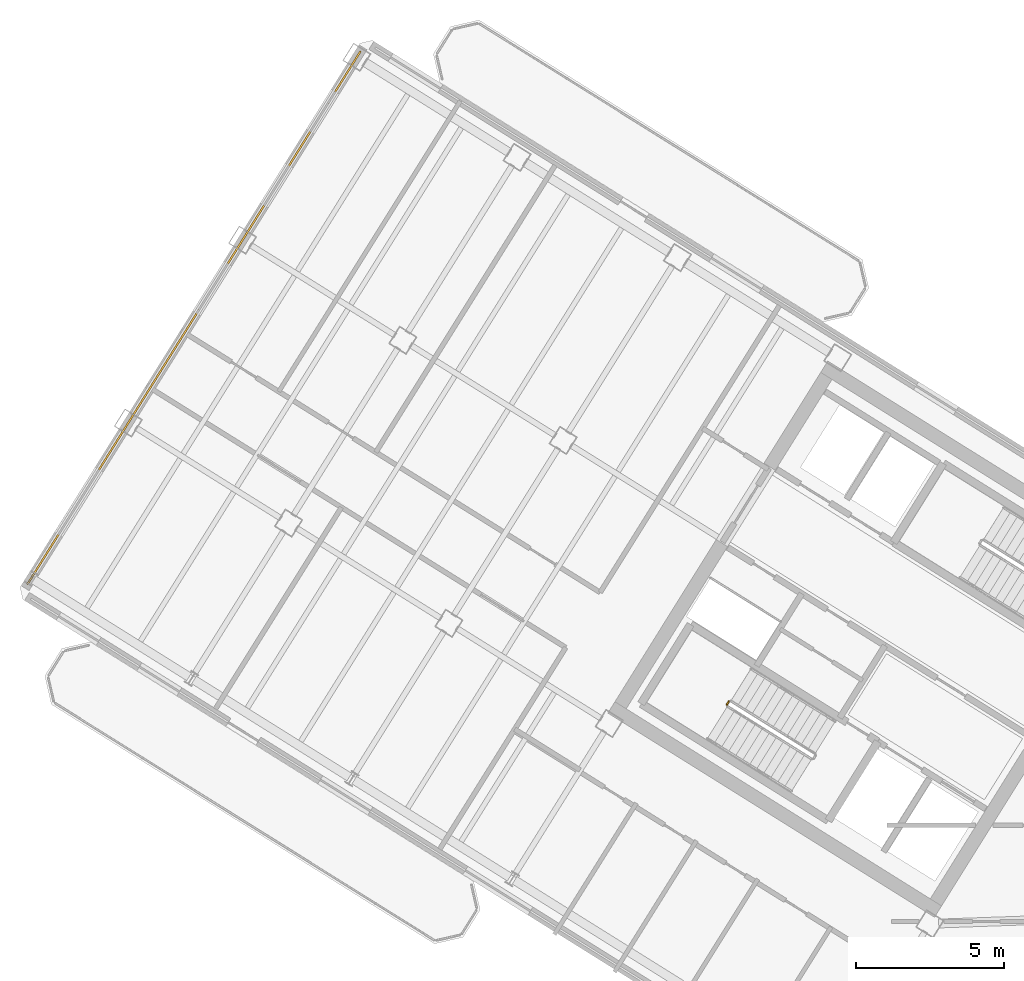
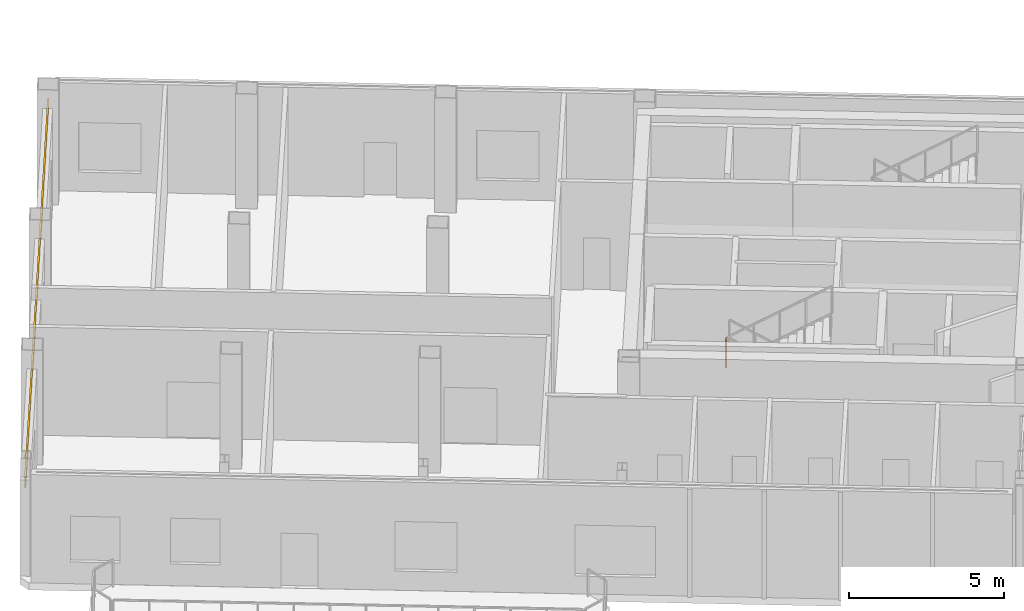
# One storey, part 23 of 27: 1 covering, 1 railing.
"""IFC4 building model written with IfcOpenShell, lengths in metres."""

import ifcopenshell
import ifcopenshell.guid

model = None  # the IFC model being written
_history = None  # IfcOwnerHistory: only IFC2X3 demands one
_inside = {}  # id of a spatial element -> (the spatial element, [elements in it])
_under = {}  # id of a project, library or spatial element -> (it, [spatial elements below it])
_declared = {}  # id of a project -> (the project, [libraries it declares])
_typed = {}  # id of a type object -> (the type object, [elements of that type])
_made_of = {}  # id of a material, layer set ... -> (it, [elements and type objects made of it])


def new_model(schema):
    """Start an empty IFC model of exactly this schema.

    Asked for "IFC4X3", IfcOpenShell would pick the latest addendum, in which some entities
    have other attributes; the version numbers below select the first issue.
    IFC2X3 requires an IfcOwnerHistory on every rooted entity: one is made here for all.
    """
    global model, _history
    if schema == "IFC4X3":
        model = ifcopenshell.file(schema_version=(4, 3, 0, 0))
    else:
        model = ifcopenshell.file(schema=schema)
    _inside.clear()
    _under.clear()
    _declared.clear()
    _typed.clear()
    _made_of.clear()
    _history = None
    if model.schema == "IFC2X3":
        org = make("IfcOrganization", Name="unknown")
        user = make(
            "IfcPersonAndOrganization",
            ThePerson=make("IfcPerson", FamilyName="unknown"),
            TheOrganization=org,
        )
        app = make(
            "IfcApplication",
            ApplicationDeveloper=org,
            Version="unknown",
            ApplicationFullName="unknown",
            ApplicationIdentifier="unknown",
        )
        _history = make(
            "IfcOwnerHistory",
            OwningUser=user,
            OwningApplication=app,
            ChangeAction="ADDED",
            CreationDate=0,
        )
    return model


def make(cls, **values):
    """One entity of the class cls with the attributes given. An attribute that is None is left unset."""
    return model.create_entity(
        cls, **{name: value for name, value in values.items() if value is not None}
    )


def rooted(cls, **values):
    """An entity with a GlobalId (a new one), such as an element, a storey or a relation."""
    return make(cls, GlobalId=ifcopenshell.guid.new(), OwnerHistory=_history, **values)


def si_unit(unit_type, name, prefix=None):
    """IfcSIUnit, for example si_unit("LENGTHUNIT", "METRE", prefix="MILLI")."""
    return make("IfcSIUnit", UnitType=unit_type, Prefix=prefix, Name=name)


def assignment(units):
    """IfcUnitAssignment: the units of a project."""
    return None if units is None else make("IfcUnitAssignment", Units=units)


def point(xyz):
    """IfcCartesianPoint."""
    return None if xyz is None else make("IfcCartesianPoint", Coordinates=xyz)


def direction(xyz):
    """IfcDirection."""
    return None if xyz is None else make("IfcDirection", DirectionRatios=xyz)


def frame(location, z_axis=None, x_axis=None):
    """IfcAxis2Placement3D, a coordinate frame: its origin and axes. An axis left out is left unset."""
    return make(
        "IfcAxis2Placement3D",
        Location=point(location),
        Axis=direction(z_axis),
        RefDirection=direction(x_axis),
    )


def frame_2d(location, x_axis=None):
    """IfcAxis2Placement2D, a coordinate frame in the plane: its origin and x axis."""
    return make(
        "IfcAxis2Placement2D", Location=point(location), RefDirection=direction(x_axis)
    )


def origin():
    """The frame at (0, 0, 0) with its axes left unset."""
    return frame((0.0, 0.0, 0.0))


def origin_2d():
    """The frame at (0, 0) in the plane with its x axis left unset."""
    return frame_2d((0.0, 0.0))


def place(relative_to, where):
    """IfcLocalPlacement: puts the frame where relative to a parent placement (None: the world)."""
    return make(
        "IfcLocalPlacement", PlacementRelTo=relative_to, RelativePlacement=where
    )


def context(
    kind, dimensions, precision=None, world=None, true_north=None, identifier=None
):
    """IfcGeometricRepresentationContext, for example the 3D "Model" context."""
    return make(
        "IfcGeometricRepresentationContext",
        ContextIdentifier=identifier,
        ContextType=kind,
        CoordinateSpaceDimension=dimensions,
        Precision=precision,
        WorldCoordinateSystem=world,
        TrueNorth=true_north,
    )


def subcontext(parent, identifier, kind, view, scale=None):
    """IfcGeometricRepresentationSubContext, for example "Body" below "Model"."""
    return make(
        "IfcGeometricRepresentationSubContext",
        ContextIdentifier=identifier,
        ContextType=kind,
        ParentContext=parent,
        TargetScale=scale,
        TargetView=view,
    )


def project(units=None, contexts=None):
    """IfcProject with its units and contexts."""
    return rooted(
        "IfcProject",
        Name="project",
        RepresentationContexts=contexts,
        UnitsInContext=assignment(units),
    )


def spatial(cls, under=None, at=None, **own):
    """A site, building, storey or space (cls), placed at a placement, below another one or the project."""
    s = rooted(cls, ObjectPlacement=at, **own)
    if under is not None:
        _under.setdefault(under.id(), (under, []))[1].append(s)
    return s


def profile(cls, at=None, kind="AREA", **sizes):
    """A parametric profile (cls). Its sizes go by their IFC names, for example OverallWidth=200.0."""
    return make(cls, ProfileType=kind, Position=at, **sizes)


def rectangle(**sizes):
    """IfcRectangleProfileDef."""
    return profile("IfcRectangleProfileDef", **sizes)


def extrude(swept, where, along, depth):
    """IfcExtrudedAreaSolid: the profile swept, set in the frame where, extruded along a direction by depth."""
    return make(
        "IfcExtrudedAreaSolid",
        SweptArea=swept,
        Position=where,
        ExtrudedDirection=direction(along),
        Depth=depth,
    )


def shape(context_of_items, identifier, shape_type, items):
    """IfcShapeRepresentation: the items that make up one representation, for example the "Body"."""
    return make(
        "IfcShapeRepresentation",
        ContextOfItems=context_of_items,
        RepresentationIdentifier=identifier,
        RepresentationType=shape_type,
        Items=items,
    )


def source(mapping_origin, context_of_items, identifier, shape_type, items):
    """IfcRepresentationMap: a shape defined once, which mapped items show again and again."""
    return make(
        "IfcRepresentationMap",
        MappingOrigin=mapping_origin,
        MappedRepresentation=shape(context_of_items, identifier, shape_type, items),
    )


def transform(
    local_origin,
    x_axis=None,
    y_axis=None,
    z_axis=None,
    scale=None,
    scale2=None,
    scale3=None,
    uniform=True,
):
    """IfcCartesianTransformationOperator3D, or its non-uniform kind. x_axis, y_axis, z_axis: its Axis1, 2, 3."""
    if uniform:
        return make(
            "IfcCartesianTransformationOperator3D",
            Axis1=direction(x_axis),
            Axis2=direction(y_axis),
            LocalOrigin=point(local_origin),
            Scale=scale,
            Axis3=direction(z_axis),
        )
    return make(
        "IfcCartesianTransformationOperator3DnonUniform",
        Axis1=direction(x_axis),
        Axis2=direction(y_axis),
        LocalOrigin=point(local_origin),
        Scale=scale,
        Axis3=direction(z_axis),
        Scale2=scale2,
        Scale3=scale3,
    )


def mapped(mapping_source, mapping_target):
    """IfcMappedItem: shows the shape of a source again, moved by a transform."""
    return make(
        "IfcMappedItem", MappingSource=mapping_source, MappingTarget=mapping_target
    )


def material(Name=None, Category=None):
    """IfcMaterial."""
    return make("IfcMaterial", Name=Name, Category=Category)


def layer(
    of_material, thickness, ventilated=None, Name=None, Category=None, Priority=None
):
    """IfcMaterialLayer: one layer of a wall or slab, of a material (None: an air gap)."""
    return make(
        "IfcMaterialLayer",
        Material=of_material,
        LayerThickness=thickness,
        IsVentilated=ventilated,
        Name=Name,
        Category=Category,
        Priority=Priority,
    )


def layer_set(layers, Name=None):
    """IfcMaterialLayerSet."""
    return make("IfcMaterialLayerSet", MaterialLayers=layers, LayerSetName=Name)


def made_of(thing, what):
    """Note that an element or type object is made of a material, layer set ...; save() writes the relation."""
    if what is not None:
        _made_of.setdefault(what.id(), (what, []))[1].append(thing)
    return thing


def type_object(cls, material=None, **own):
    """A type object (cls), such as IfcWallType, which elements share."""
    return made_of(rooted(cls, **own), material)


def element(
    cls,
    number,
    at=None,
    inside=None,
    cuts=None,
    type_object=None,
    material=None,
    context=None,
    identifier="Body",
    shape_type=None,
    held_by="IfcProductDefinitionShape",
    body=None,
    shapes=None,
    **own,
):
    """One element of the class cls, such as IfcWall. Its Tag is "e" and its number.

    at: its placement. inside: the storey or other place that contains it. cuts: it is an
    opening in that element (IfcRelVoidsElement). A single representation is given by context,
    identifier, shape_type and body (its items); several are given by shapes. held_by: the class
    of the entity that holds the representations. save() writes the other relations.
    """
    e = rooted(cls, Tag="e%d" % number, ObjectPlacement=at, **own)
    if body is not None:
        shapes = [shape(context, identifier, shape_type, body)]
    if shapes is not None:
        e.Representation = make(held_by, Representations=shapes)
    if inside is not None:
        _inside.setdefault(inside.id(), (inside, []))[1].append(e)
    if cuts is not None:
        rooted(
            "IfcRelVoidsElement", RelatingBuildingElement=cuts, RelatedOpeningElement=e
        )
    if type_object is not None:
        _typed.setdefault(type_object.id(), (type_object, []))[1].append(e)
    return made_of(e, material)


def aggregate(whole, parts):
    """IfcRelAggregates: a whole, such as a stair, and the parts it consists of."""
    return rooted("IfcRelAggregates", RelatingObject=whole, RelatedObjects=parts)


def save(model, path):
    """Write the relations noted so far, then the file.

    IfcRelAggregates (storeys below a building ...), IfcRelContainedInSpatialStructure (elements
    in a storey), IfcRelDefinesByType, IfcRelAssociatesMaterial and IfcRelDeclares: one each for
    every whole, place, type object, material and project.
    """
    for whole, parts in _under.values():
        aggregate(whole, parts)
    for where, things in _inside.values():
        rooted(
            "IfcRelContainedInSpatialStructure",
            RelatedElements=things,
            RelatingStructure=where,
        )
    for kind, things in _typed.values():
        rooted("IfcRelDefinesByType", RelatedObjects=things, RelatingType=kind)
    for what, things in _made_of.values():
        rooted("IfcRelAssociatesMaterial", RelatedObjects=things, RelatingMaterial=what)
    for by, libraries in _declared.values():
        rooted("IfcRelDeclares", RelatingContext=by, RelatedDefinitions=libraries)
    model.write(path)


model = new_model("IFC4")

# Units and contexts
model_context = context("Model", 3, precision=1e-05, world=origin(), true_north=direction((0.0, 1.0)))
body_context = subcontext(model_context, "Body", "Model", "MODEL_VIEW")
ifc_project = project(units=[si_unit("LENGTHUNIT", "METRE"), si_unit("AREAUNIT", "SQUARE_METRE"), si_unit("VOLUMEUNIT", "CUBIC_METRE"), si_unit("PLANEANGLEUNIT", "RADIAN"), si_unit("MASSUNIT", "GRAM", prefix="KILO")], contexts=[model_context])

# Site, building, storey
site_placement = place(None, origin())
site = spatial("IfcSite", under=ifc_project, at=site_placement, CompositionType="ELEMENT")
building_placement = place(site_placement, origin())
building = spatial("IfcBuilding", under=site, at=building_placement, Name="Tlacorven Tower", CompositionType="ELEMENT")
storey_placement = place(building_placement, frame((0.0, 0.0, 254.699951171875)))
storey = spatial("IfcBuildingStorey", under=building, at=storey_placement, Name="L64", CompositionType="ELEMENT", Elevation=254.699951171875)

# Covering
ifc_material_1 = material(Name="Precast concrete C45/55", Category="concrete")
ifc_layer = layer(ifc_material_1, 0.06005859375)
ifc_layer_set = layer_set([ifc_layer], Name="Precast concrete C45/55")
covering_type = type_object("IfcCoveringType", Name="CV-CLD-TERC", PredefinedType="CLADDING", material=ifc_layer_set)
shared_shape_1 = source(origin(), body_context, "Body", "SweptSolid", [
    extrude(rectangle(XDim=21.287353515625, YDim=0.06005859375, at=origin_2d()), origin(), (0.0, 0.0, 1.0), 0.419921875),
])
covering_placement = place(storey_placement, frame((8.13427734375, 32.606201171875, 3.35498046875), z_axis=(0.0, 0.0, 1.0), x_axis=(0.529918940959, 0.84804829816, 0.0)))
element("IfcCovering", 1, at=covering_placement, inside=storey, type_object=covering_type, Name="L64 Masonry-Frame Spandrel Cladding 2", PredefinedType="CLADDING", context=body_context, shape_type="MappedRepresentation", body=[
    mapped(shared_shape_1, transform((0.0, 0.0, 0.0), scale=1.0)),
])

# Railing
ifc_material_2 = material(Name="Aluminium and painted steel balustrade", Category="steel")
railing_type = type_object("IfcRailingType", Name="RL-GRD-1100", PredefinedType="GUARDRAIL", material=ifc_material_2)
shared_shape_2 = source(origin(), body_context, "Body", "SweptSolid", [
    extrude(rectangle(XDim=0.048095703125, YDim=0.048095703125, at=origin_2d()), frame((0.0, 0.0, 1.076171875), z_axis=(-0.530546985787, -0.847655529016, 0.0), x_axis=(0.847655529016, -0.530546985787, 0.0)), (0.0, 0.0, 1.0), 0.1201171875),
    extrude(rectangle(XDim=0.0419921875, YDim=0.0419921875, at=origin_2d()), origin(), (0.0, 0.0, 1.0), 1.052001953125),
    extrude(rectangle(XDim=0.0419921875, YDim=0.0419921875, at=origin_2d()), frame((-0.063720703125, -0.101806640625, 0.0)), (0.0, 0.0, 1.0), 1.052001953125),
])
railing_placement = place(storey_placement, frame((26.242431640625, 19.616455078125, 2.25)))
element("IfcRailing", 2, at=railing_placement, inside=storey, type_object=railing_type, Name="L64 ST-W1 stair guard 2", PredefinedType="GUARDRAIL", context=body_context, shape_type="MappedRepresentation", body=[
    mapped(shared_shape_2, transform((0.0, 0.0, 0.0), scale=1.0)),
])

save(model, "model.ifc")
